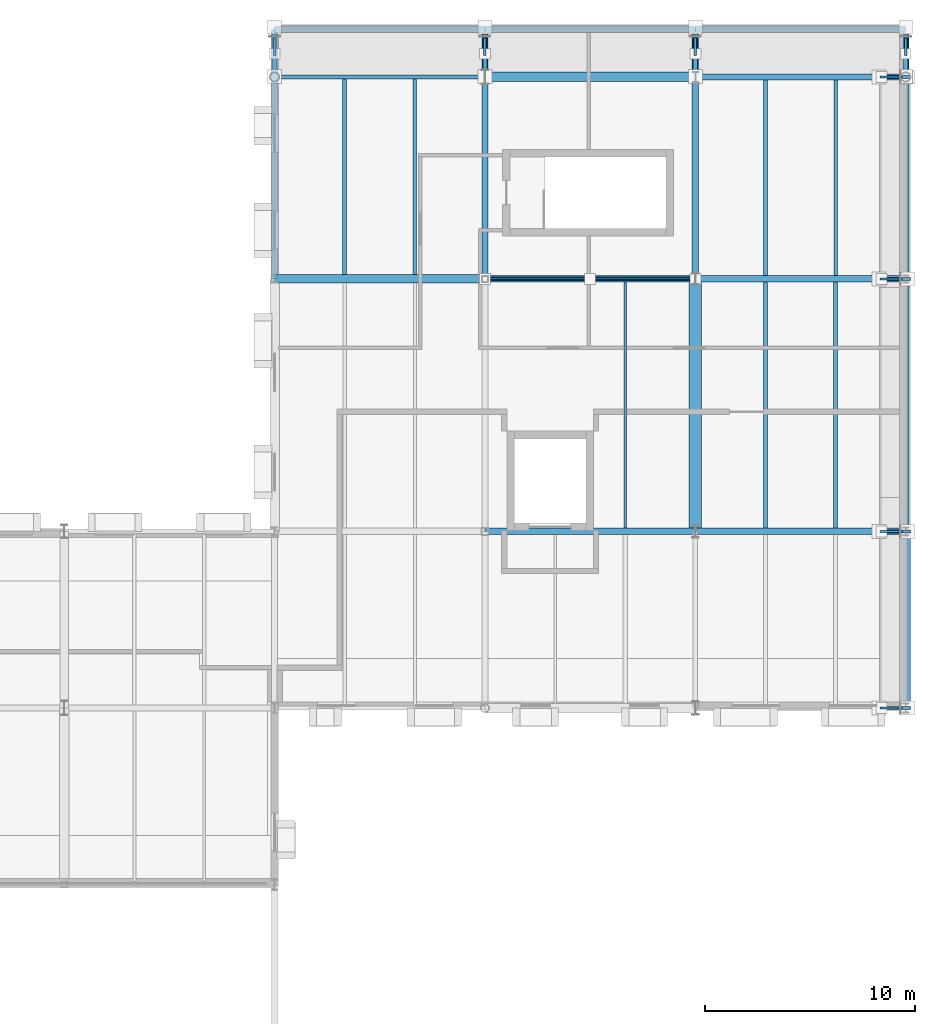
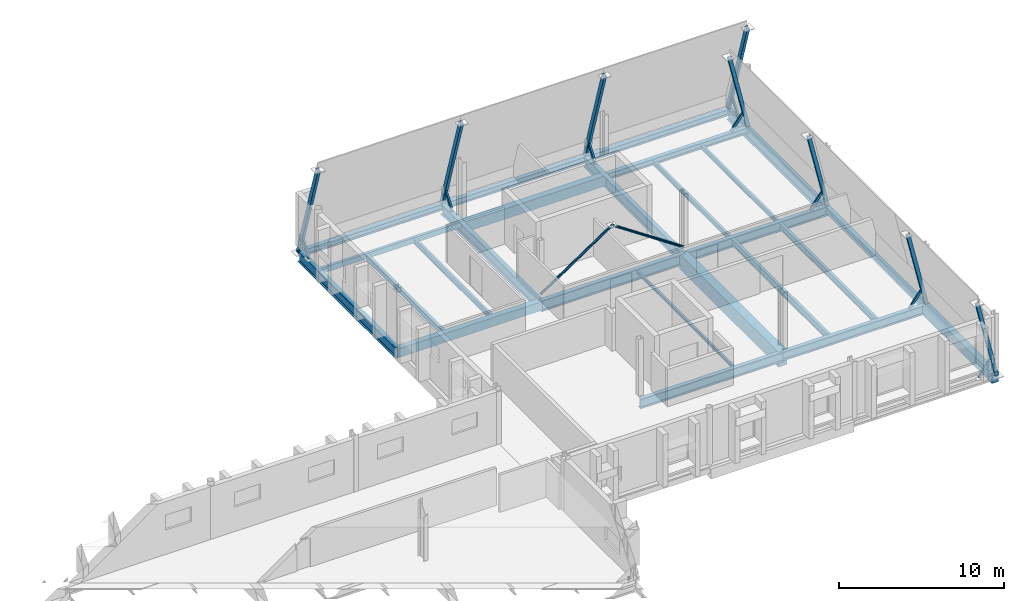
# One storey, part 41 of 90: 25 beams, 18 members.
"""IFC4 building model written with IfcOpenShell, lengths in metres."""

from ifc_helpers import new_model, si_unit, direction, frame, origin, origin_2d, place, context, subcontext, project, spatial, rectangle, hollow_rectangle, hollow_circle, i_section, extrude, material, material_profile, profile_set, type_object, element, save


model = new_model("IFC4")

# Units and contexts
model_context = context("Model", 3, precision=1e-05, world=origin(), true_north=direction((0.0, 1.0)))
body_context = subcontext(model_context, "Body", "Model", "MODEL_VIEW")
ifc_project = project(units=[si_unit("LENGTHUNIT", "METRE"), si_unit("AREAUNIT", "SQUARE_METRE"), si_unit("VOLUMEUNIT", "CUBIC_METRE"), si_unit("PLANEANGLEUNIT", "RADIAN"), si_unit("MASSUNIT", "GRAM", prefix="KILO")], contexts=[model_context])

# Site, building, storey
site_placement = place(None, origin())
site = spatial("IfcSite", under=ifc_project, at=site_placement, CompositionType="ELEMENT")
building_placement = place(site_placement, origin())
building = spatial("IfcBuilding", under=site, at=building_placement, Name="Zereglee Splitstone Museum", CompositionType="ELEMENT")
storey_placement = place(building_placement, frame((0.0, 0.0, 4.800048828125)))
storey = spatial("IfcBuildingStorey", under=building, at=storey_placement, Name="L01", CompositionType="ELEMENT", Elevation=4.800048828125)

# Beams
ifc_material_1 = material(Name="Concrete C40/50", Category="concrete")
ifc_material_profile_1 = material_profile(ifc_material_1, rectangle(XDim=0.39990234375, YDim=0.64990234375, at=origin_2d()), Name="RC 400x650")
ifc_profile_set_1 = profile_set([ifc_material_profile_1], Name="Concrete C40/50")
beam_type_1 = type_object("IfcBeamType", Name="BG-04", PredefinedType="BEAM", material=ifc_profile_set_1)
beam_1_placement = place(storey_placement, frame((296.0, 50.39990234375, -0.625), z_axis=(1.0, 0.0, 0.0), x_axis=(0.0, 1.0, 0.0)))
element("IfcBeam", 1, at=beam_1_placement, inside=storey, type_object=beam_type_1, Name="Primary Girder L01 F (296.0-306.0)", PredefinedType="BEAM", context=body_context, shape_type="SweptSolid", body=[
    extrude(rectangle(XDim=0.39990234375, YDim=0.64990234375, at=origin_2d()), origin(), (0.0, 0.0, 1.0), 10.0),
])
ifc_material_profile_2 = material_profile(ifc_material_1, rectangle(XDim=0.60009765625, YDim=1.10009765625, at=origin_2d()), Name="RC 600x1100")
ifc_profile_set_2 = profile_set([ifc_material_profile_2], Name="Concrete C40/50")
beam_type_2 = type_object("IfcBeamType", Name="BG-01", PredefinedType="BEAM", material=ifc_profile_set_2)
beam_2_placement = place(storey_placement, frame((316.0, 38.39990234375, -0.85009765625), z_axis=(0.0, 1.0, 0.0), x_axis=(-1.0, 0.0, 0.0)))
element("IfcBeam", 2, at=beam_2_placement, inside=storey, type_object=beam_type_2, Name="Primary Girder L01 35 (38.4-50.4)", PredefinedType="BEAM", context=body_context, shape_type="SweptSolid", body=[
    extrude(rectangle(XDim=0.60009765625, YDim=1.10009765625, at=origin_2d()), origin(), (0.0, 0.0, 1.0), 12.0),
])

# Members
ifc_material_2 = material(Name="Steel S355J2H", Category="steel")
ifc_material_profile_3 = material_profile(ifc_material_2, hollow_circle(Radius=0.084228515625, WallThickness=0.008056640625, at=origin_2d()), Name="CHS 168.3x8")
ifc_profile_set_3 = profile_set([ifc_material_profile_3], Name="Steel S355J2H")
member_type_1 = type_object("IfcMemberType", Name="TB-05", PredefinedType="BRACE", material=ifc_profile_set_3)
for number, where, z_axis, x_axis, name in (
    (3, (306.0, 50.39990234375, 0.119873046875), (0.82999331447, 0.0, 0.557773339211), (0.0, 1.0, 0.0), "Lateral Braced Frame Chevron L01-023A"),
    (4, (316.0, 50.39990234375, 0.119873046875), (-0.82999331447, 0.0, 0.557773339211), (0.0, -1.0, 0.0), "Lateral Braced Frame Chevron L01-023B"),
):
    element("IfcMember", number, at=place(storey_placement, frame(where, z_axis=z_axis, x_axis=x_axis)), inside=storey, type_object=member_type_1, Name=name, PredefinedType="BRACE", context=body_context, shape_type="SweptSolid", body=[
        extrude(hollow_circle(Radius=0.084228515625, WallThickness=0.008056640625, at=origin_2d()), origin(), (0.0, 0.0, 1.0), 6.024169921875),
    ])

# Beams
ifc_material_3 = material(Name="Steel S355J2", Category="steel")
ifc_material_profile_4 = material_profile(ifc_material_3, i_section(OverallWidth=0.300048828125, OverallDepth=0.64990234375, WebThickness=0.01611328125, FlangeThickness=0.031005859375, FilletRadius=0.027099609375, at=origin_2d()), Name="HE 650 B")
ifc_profile_set_4 = profile_set([ifc_material_profile_4], Name="Steel S355J2")
beam_type_3 = type_object("IfcBeamType", Name="BG-09", PredefinedType="BEAM", material=ifc_profile_set_4)
beam_3_placement = place(storey_placement, frame((316.0, 38.39990234375, -0.625), z_axis=(1.0, 0.0, 0.0), x_axis=(0.0, 1.0, 0.0)))
element("IfcBeam", 5, at=beam_3_placement, inside=storey, type_object=beam_type_3, Name="Primary Girder L01 E (316.0-326.0)", PredefinedType="BEAM", context=body_context, shape_type="SweptSolid", body=[
    extrude(i_section(OverallWidth=0.300048828125, OverallDepth=0.64990234375, WebThickness=0.01611328125, FlangeThickness=0.031005859375, FilletRadius=0.027099609375, at=origin_2d()), origin(), (0.0, 0.0, 1.0), 10.0),
])
ifc_material_profile_5 = material_profile(ifc_material_3, i_section(OverallWidth=0.300048828125, OverallDepth=0.699951171875, WebThickness=0.01708984375, FlangeThickness=0.031982421875, FilletRadius=0.027099609375, at=origin_2d()), Name="HE 700 B")
ifc_profile_set_5 = profile_set([ifc_material_profile_5], Name="Steel S355J2")
beam_type_4 = type_object("IfcBeamType", Name="BG-08", PredefinedType="BEAM", material=ifc_profile_set_5)
for number, where, z_axis, x_axis, name in (
    (6, (306.0, 38.39990234375, -0.650146484375), (1.0, 0.0, 0.0), (0.0, 1.0, 0.0), "Primary Girder L01 E (306.0-316.0)"),
    (7, (316.0, 50.39990234375, -0.650146484375), (1.0, 0.0, 0.0), (0.0, 1.0, 0.0), "Primary Girder L01 F (316.0-326.0)"),
):
    element("IfcBeam", number, at=place(storey_placement, frame(where, z_axis=z_axis, x_axis=x_axis)), inside=storey, type_object=beam_type_4, Name=name, PredefinedType="BEAM", context=body_context, shape_type="SweptSolid", body=[
        extrude(i_section(OverallWidth=0.300048828125, OverallDepth=0.699951171875, WebThickness=0.01708984375, FlangeThickness=0.031982421875, FilletRadius=0.027099609375, at=origin_2d()), origin(), (0.0, 0.0, 1.0), 10.0),
    ])
ifc_material_profile_6 = material_profile(ifc_material_3, i_section(OverallWidth=0.300048828125, OverallDepth=0.800048828125, WebThickness=0.017578125, FlangeThickness=0.032958984375, FilletRadius=0.030029296875, at=origin_2d()), Name="HE 800 B")
ifc_profile_set_6 = profile_set([ifc_material_profile_6], Name="Steel S355J2")
beam_type_5 = type_object("IfcBeamType", Name="BG-07", PredefinedType="BEAM", material=ifc_profile_set_6)
beam_4_placement = place(storey_placement, frame((306.0, 50.39990234375, -0.699951171875), z_axis=(1.0, 0.0, 0.0), x_axis=(0.0, 1.0, 0.0)))
element("IfcBeam", 8, at=beam_4_placement, inside=storey, type_object=beam_type_5, Name="Primary Girder L01 F (306.0-316.0)", PredefinedType="BEAM", context=body_context, shape_type="SweptSolid", body=[
    extrude(i_section(OverallWidth=0.300048828125, OverallDepth=0.800048828125, WebThickness=0.017578125, FlangeThickness=0.032958984375, FilletRadius=0.030029296875, at=origin_2d()), origin(), (0.0, 0.0, 1.0), 10.0),
])
for number, where, z_axis, x_axis, name in (
    (9, (296.0, 50.39990234375, -0.699951171875), (0.0, 1.0, 0.0), (-1.0, 0.0, 0.0), "Primary Girder L01 33 (50.4-62.2)"),
    (10, (306.0, 50.39990234375, -0.699951171875), (0.0, 1.0, 0.0), (-1.0, 0.0, 0.0), "Primary Girder L01 34 (50.4-62.2)"),
    (11, (316.0, 50.39990234375, -0.699951171875), (0.0, 1.0, 0.0), (-1.0, 0.0, 0.0), "Primary Girder L01 35 (50.4-62.2)"),
    (12, (326.0, 50.39990234375, -0.699951171875), (0.0, 1.0, 0.0), (-1.0, 0.0, 0.0), "Primary Girder L01 36 (50.4-62.2)"),
):
    element("IfcBeam", number, at=place(storey_placement, frame(where, z_axis=z_axis, x_axis=x_axis)), inside=storey, type_object=beam_type_5, Name=name, PredefinedType="BEAM", context=body_context, shape_type="SweptSolid", body=[
        extrude(i_section(OverallWidth=0.300048828125, OverallDepth=0.800048828125, WebThickness=0.017578125, FlangeThickness=0.032958984375, FilletRadius=0.030029296875, at=origin_2d()), origin(), (0.0, 0.0, 1.0), 11.85009765625),
    ])
ifc_material_profile_7 = material_profile(ifc_material_3, i_section(OverallWidth=0.1201171875, OverallDepth=0.239990234375, WebThickness=0.006103515625, FlangeThickness=0.009765625, FilletRadius=0.014892578125, at=origin_2d()), Name="IPE 240")
ifc_profile_set_7 = profile_set([ifc_material_profile_7], Name="Steel S355J2")
beam_type_6 = type_object("IfcBeamType", Name="BJ-07", PredefinedType="JOIST", material=ifc_profile_set_7)
beam_5_placement = place(storey_placement, frame((312.666748046875, 38.550048828125, -0.420166015625), z_axis=(0.0, 1.0, 0.0), x_axis=(-1.0, 0.0, 0.0)))
element("IfcBeam", 13, at=beam_5_placement, inside=storey, type_object=beam_type_6, Name="Secondary Floor Joist L01-0811", PredefinedType="JOIST", context=body_context, shape_type="SweptSolid", body=[
    extrude(i_section(OverallWidth=0.1201171875, OverallDepth=0.239990234375, WebThickness=0.006103515625, FlangeThickness=0.009765625, FilletRadius=0.014892578125, at=origin_2d()), origin(), (0.0, 0.0, 1.0), 11.699951171875),
])
ifc_material_profile_8 = material_profile(ifc_material_3, i_section(OverallWidth=0.159912109375, OverallDepth=0.330078125, WebThickness=0.007568359375, FlangeThickness=0.011474609375, FilletRadius=0.01806640625, at=origin_2d()), Name="IPE 330")
ifc_profile_set_8 = profile_set([ifc_material_profile_8], Name="Steel S355J2")
beam_type_7 = type_object("IfcBeamType", Name="BJ-05", PredefinedType="JOIST", material=ifc_profile_set_8)
beam_6_placement = place(storey_placement, frame((322.666748046875, 50.550048828125, -0.465087890625), z_axis=(0.0, 1.0, 0.0), x_axis=(-1.0, 0.0, 0.0)))
element("IfcBeam", 14, at=beam_6_placement, inside=storey, type_object=beam_type_7, Name="Secondary Floor Joist L01-0823", PredefinedType="JOIST", context=body_context, shape_type="SweptSolid", body=[
    extrude(i_section(OverallWidth=0.159912109375, OverallDepth=0.330078125, WebThickness=0.007568359375, FlangeThickness=0.011474609375, FilletRadius=0.01806640625, at=origin_2d()), origin(), (0.0, 0.0, 1.0), 9.300048828125),
])
ifc_material_profile_9 = material_profile(ifc_material_3, i_section(OverallWidth=0.169921875, OverallDepth=0.360107421875, WebThickness=0.008056640625, FlangeThickness=0.0126953125, FilletRadius=0.01806640625, at=origin_2d()), Name="IPE 360")
ifc_profile_set_9 = profile_set([ifc_material_profile_9], Name="Steel S355J2")
beam_type_8 = type_object("IfcBeamType", Name="BJ-04", PredefinedType="JOIST", material=ifc_profile_set_9)
beam_7_placement = place(storey_placement, frame((319.333251953125, 50.550048828125, -0.47998046875), z_axis=(0.0, 1.0, 0.0), x_axis=(-1.0, 0.0, 0.0)))
element("IfcBeam", 15, at=beam_7_placement, inside=storey, type_object=beam_type_8, Name="Secondary Floor Joist L01-0822", PredefinedType="JOIST", context=body_context, shape_type="SweptSolid", body=[
    extrude(i_section(OverallWidth=0.169921875, OverallDepth=0.360107421875, WebThickness=0.008056640625, FlangeThickness=0.0126953125, FilletRadius=0.01806640625, at=origin_2d()), origin(), (0.0, 0.0, 1.0), 9.300048828125),
])
ifc_material_profile_10 = material_profile(ifc_material_3, i_section(OverallWidth=0.179931640625, OverallDepth=0.39990234375, WebThickness=0.008544921875, FlangeThickness=0.013427734375, FilletRadius=0.02099609375, at=origin_2d()), Name="IPE 400")
ifc_profile_set_10 = profile_set([ifc_material_profile_10], Name="Steel S355J2")
beam_type_9 = type_object("IfcBeamType", Name="BJ-03", PredefinedType="JOIST", material=ifc_profile_set_10)
beam_8_placement = place(storey_placement, frame((302.666748046875, 50.60009765625, -0.5), z_axis=(0.0, 1.0, 0.0), x_axis=(-1.0, 0.0, 0.0)))
element("IfcBeam", 16, at=beam_8_placement, inside=storey, type_object=beam_type_9, Name="Secondary Floor Joist L01-0821", PredefinedType="JOIST", context=body_context, shape_type="SweptSolid", body=[
    extrude(i_section(OverallWidth=0.179931640625, OverallDepth=0.39990234375, WebThickness=0.008544921875, FlangeThickness=0.013427734375, FilletRadius=0.02099609375, at=origin_2d()), origin(), (0.0, 0.0, 1.0), 9.2998046875),
])
ifc_material_profile_11 = material_profile(ifc_material_3, i_section(OverallWidth=0.18994140625, OverallDepth=0.449951171875, WebThickness=0.009521484375, FlangeThickness=0.0146484375, FilletRadius=0.02099609375, at=origin_2d()), Name="IPE 450")
ifc_profile_set_11 = profile_set([ifc_material_profile_11], Name="Steel S355J2")
beam_type_10 = type_object("IfcBeamType", Name="BJ-02", PredefinedType="JOIST", material=ifc_profile_set_11)
beam_9_placement = place(storey_placement, frame((322.666748046875, 38.550048828125, -0.525146484375), z_axis=(0.0, 1.0, 0.0), x_axis=(-1.0, 0.0, 0.0)))
element("IfcBeam", 17, at=beam_9_placement, inside=storey, type_object=beam_type_10, Name="Secondary Floor Joist L01-0813", PredefinedType="JOIST", context=body_context, shape_type="SweptSolid", body=[
    extrude(i_section(OverallWidth=0.18994140625, OverallDepth=0.449951171875, WebThickness=0.009521484375, FlangeThickness=0.0146484375, FilletRadius=0.02099609375, at=origin_2d()), origin(), (0.0, 0.0, 1.0), 11.699951171875),
])
beam_10_placement = place(storey_placement, frame((299.333251953125, 50.60009765625, -0.525146484375), z_axis=(0.0, 1.0, 0.0), x_axis=(-1.0, 0.0, 0.0)))
element("IfcBeam", 18, at=beam_10_placement, inside=storey, type_object=beam_type_10, Name="Secondary Floor Joist L01-0820", PredefinedType="JOIST", context=body_context, shape_type="SweptSolid", body=[
    extrude(i_section(OverallWidth=0.18994140625, OverallDepth=0.449951171875, WebThickness=0.009521484375, FlangeThickness=0.0146484375, FilletRadius=0.02099609375, at=origin_2d()), origin(), (0.0, 0.0, 1.0), 9.2998046875),
])
ifc_material_profile_12 = material_profile(ifc_material_3, i_section(OverallWidth=0.199951171875, OverallDepth=0.5, WebThickness=0.01025390625, FlangeThickness=0.01611328125, FilletRadius=0.02099609375, at=origin_2d()), Name="IPE 500")
ifc_profile_set_12 = profile_set([ifc_material_profile_12], Name="Steel S355J2")
beam_type_11 = type_object("IfcBeamType", Name="BJ-01", PredefinedType="JOIST", material=ifc_profile_set_12)
beam_11_placement = place(storey_placement, frame((319.333251953125, 38.550048828125, -0.550048828125), z_axis=(0.0, 1.0, 0.0), x_axis=(-1.0, 0.0, 0.0)))
element("IfcBeam", 19, at=beam_11_placement, inside=storey, type_object=beam_type_11, Name="Secondary Floor Joist L01-0812", PredefinedType="JOIST", context=body_context, shape_type="SweptSolid", body=[
    extrude(i_section(OverallWidth=0.199951171875, OverallDepth=0.5, WebThickness=0.01025390625, FlangeThickness=0.01611328125, FilletRadius=0.02099609375, at=origin_2d()), origin(), (0.0, 0.0, 1.0), 11.699951171875),
])
ifc_material_profile_13 = material_profile(ifc_material_3, i_section(OverallWidth=0.300048828125, OverallDepth=0.449951171875, WebThickness=0.013916015625, FlangeThickness=0.02587890625, FilletRadius=0.027099609375, at=origin_2d()), Name="HE 450 B")
ifc_profile_set_13 = profile_set([ifc_material_profile_13], Name="Steel S355J2")
beam_type_12 = type_object("IfcBeamType", Name="SP-02", PredefinedType="SPANDREL", material=ifc_profile_set_13)
beam_12_placement = place(storey_placement, frame((316.0, 60.0, -0.525146484375), z_axis=(1.0, 0.0, 0.0), x_axis=(0.0, 1.0, 0.0)))
element("IfcBeam", 20, at=beam_12_placement, inside=storey, type_object=beam_type_12, Name="Primary Girder L01 G (316.0-326.0)", PredefinedType="SPANDREL", context=body_context, shape_type="SweptSolid", body=[
    extrude(i_section(OverallWidth=0.300048828125, OverallDepth=0.449951171875, WebThickness=0.013916015625, FlangeThickness=0.02587890625, FilletRadius=0.027099609375, at=origin_2d()), origin(), (0.0, 0.0, 1.0), 10.0),
])
beam_13_placement = place(storey_placement, frame((326.0, 38.39990234375, -0.525146484375), z_axis=(0.0, 1.0, 0.0), x_axis=(-1.0, 0.0, 0.0)))
element("IfcBeam", 21, at=beam_13_placement, inside=storey, type_object=beam_type_12, Name="Primary Girder L01 36 (38.4-50.4)", PredefinedType="SPANDREL", context=body_context, shape_type="SweptSolid", body=[
    extrude(i_section(OverallWidth=0.300048828125, OverallDepth=0.449951171875, WebThickness=0.013916015625, FlangeThickness=0.02587890625, FilletRadius=0.027099609375, at=origin_2d()), origin(), (0.0, 0.0, 1.0), 12.0),
])
for number, where, z_axis, x_axis, name in (
    (22, (296.0, 62.25, -0.525146484375), (1.0, 0.0, 0.0), (0.0, 1.0, 0.0), "Hovering Soffit Spandrel L01 (296.0-306.0)"),
    (23, (306.0, 62.25, -0.525146484375), (1.0, 0.0, 0.0), (0.0, 1.0, 0.0), "Hovering Soffit Spandrel L01 (306.0-316.0)"),
    (24, (316.0, 62.25, -0.525146484375), (1.0, 0.0, 0.0), (0.0, 1.0, 0.0), "Hovering Soffit Spandrel L01 (316.0-326.0)"),
):
    element("IfcBeam", number, at=place(storey_placement, frame(where, z_axis=z_axis, x_axis=x_axis)), inside=storey, type_object=beam_type_12, Name=name, PredefinedType="SPANDREL", context=body_context, shape_type="SweptSolid", body=[
        extrude(i_section(OverallWidth=0.300048828125, OverallDepth=0.449951171875, WebThickness=0.013916015625, FlangeThickness=0.02587890625, FilletRadius=0.027099609375, at=origin_2d()), origin(), (0.0, 0.0, 1.0), 10.0),
    ])
ifc_material_profile_14 = material_profile(ifc_material_1, rectangle(XDim=0.449951171875, YDim=0.75, at=origin_2d()), Name="RC 450x750")
ifc_profile_set_14 = profile_set([ifc_material_profile_14], Name="Concrete C40/50")
beam_type_13 = type_object("IfcBeamType", Name="SP-01", PredefinedType="SPANDREL", material=ifc_profile_set_14)
beam_14_placement = place(storey_placement, frame((306.0, 60.0, -0.675048828125), z_axis=(1.0, 0.0, 0.0), x_axis=(0.0, 1.0, 0.0)))
element("IfcBeam", 25, at=beam_14_placement, inside=storey, type_object=beam_type_13, Name="Primary Girder L01 G (306.0-316.0)", PredefinedType="SPANDREL", context=body_context, shape_type="SweptSolid", body=[
    extrude(rectangle(XDim=0.449951171875, YDim=0.75, at=origin_2d()), origin(), (0.0, 0.0, 1.0), 10.0),
])
beam_15_placement = place(storey_placement, frame((326.0, 30.0, -0.675048828125), z_axis=(0.0, 1.0, 0.0), x_axis=(-1.0, 0.0, 0.0)))
element("IfcBeam", 26, at=beam_15_placement, inside=storey, type_object=beam_type_13, Name="Primary Girder L01 36 (30.0-38.4)", PredefinedType="SPANDREL", context=body_context, shape_type="SweptSolid", body=[
    extrude(rectangle(XDim=0.449951171875, YDim=0.75, at=origin_2d()), origin(), (0.0, 0.0, 1.0), 8.39990234375),
])
ifc_material_profile_15 = material_profile(ifc_material_2, hollow_rectangle(XDim=0.199951171875, YDim=0.39990234375, WallThickness=0.01611328125, at=origin_2d()), Name="RHS 400x200x16")
ifc_profile_set_15 = profile_set([ifc_material_profile_15], Name="Steel S355J2H")
beam_type_14 = type_object("IfcBeamType", Name="SP-04", PredefinedType="SPANDREL", material=ifc_profile_set_15)
beam_16_placement = place(storey_placement, frame((296.0, 60.0, -0.5), z_axis=(1.0, 0.0, 0.0), x_axis=(0.0, 1.0, 0.0)))
element("IfcBeam", 27, at=beam_16_placement, inside=storey, type_object=beam_type_14, Name="Primary Girder L01 G (296.0-306.0)", PredefinedType="SPANDREL", context=body_context, shape_type="SweptSolid", body=[
    extrude(hollow_rectangle(XDim=0.199951171875, YDim=0.39990234375, WallThickness=0.01611328125, at=origin_2d()), origin(), (0.0, 0.0, 1.0), 10.0),
])

# Members
ifc_material_profile_16 = material_profile(ifc_material_2, hollow_rectangle(XDim=0.14990234375, YDim=0.25, WallThickness=0.010009765625, at=origin_2d()), Name="RHS 250x150x10")
ifc_profile_set_16 = profile_set([ifc_material_profile_16], Name="Steel S355J2H")
member_type_2 = type_object("IfcMemberType", Name="FS-R2", PredefinedType="STRUT", material=ifc_profile_set_16)
for number, where, z_axis, x_axis, name in (
    (28, (326.09423828125, 30.0, -0.550048828125), (-0.229046149794, 0.0, 0.973415564528), (0.0, -1.0, 0.0), "Split-Rock Continuous Facet Strut FH-V6E L01-01"),
    (29, (326.09423828125, 38.39990234375, -0.550048828125), (-0.229046149794, 0.0, 0.973415564528), (0.0, -1.0, 0.0), "Split-Rock Continuous Facet Strut FH-V6E L01-02"),
    (30, (326.09423828125, 50.39990234375, -0.550048828125), (-0.229046149794, 0.0, 0.973415564528), (0.0, -1.0, 0.0), "Split-Rock Continuous Facet Strut FH-V6E L01-03"),
    (31, (326.09423828125, 60.0, -0.550048828125), (-0.229046149794, 0.0, 0.973415564528), (0.0, -1.0, 0.0), "Split-Rock Continuous Facet Strut FH-V6E L01-04"),
):
    element("IfcMember", number, at=place(storey_placement, frame(where, z_axis=z_axis, x_axis=x_axis)), inside=storey, type_object=member_type_2, Name=name, PredefinedType="STRUT", context=body_context, shape_type="SweptSolid", body=[
        extrude(hollow_rectangle(XDim=0.14990234375, YDim=0.25, WallThickness=0.010009765625, at=origin_2d()), origin(), (0.0, 0.0, 1.0), 5.9892578125),
    ])
ifc_material_profile_17 = material_profile(ifc_material_2, hollow_rectangle(XDim=0.199951171875, YDim=0.300048828125, WallThickness=0.012451171875, at=origin_2d()), Name="RHS 300x200x12.5")
ifc_profile_set_17 = profile_set([ifc_material_profile_17], Name="Steel S355J2H")
member_type_3 = type_object("IfcMemberType", Name="FS-R1", PredefinedType="STRUT", material=ifc_profile_set_17)
for number, where, z_axis, x_axis, name in (
    (32, (296.0, 62.37548828125, -0.550048828125), (0.0, -0.29933344778, 0.954148566545), (1.0, 0.0, 0.0), "Split-Rock Continuous Facet Strut FH-V6N L01-01"),
    (33, (306.0, 62.37548828125, -0.550048828125), (0.0, -0.29933344778, 0.954148566545), (1.0, 0.0, 0.0), "Split-Rock Continuous Facet Strut FH-V6N L01-02"),
    (34, (316.0, 62.37548828125, -0.550048828125), (0.0, -0.29933344778, 0.954148566545), (1.0, 0.0, 0.0), "Split-Rock Continuous Facet Strut FH-V6N L01-03"),
    (35, (326.0, 62.37548828125, -0.550048828125), (0.0, -0.29933344778, 0.954148566545), (1.0, 0.0, 0.0), "Split-Rock Continuous Facet Strut FH-V6N L01-04"),
):
    element("IfcMember", number, at=place(storey_placement, frame(where, z_axis=z_axis, x_axis=x_axis)), inside=storey, type_object=member_type_3, Name=name, PredefinedType="STRUT", context=body_context, shape_type="SweptSolid", body=[
        extrude(hollow_rectangle(XDim=0.199951171875, YDim=0.300048828125, WallThickness=0.012451171875, at=origin_2d()), origin(), (0.0, 0.0, 1.0), 7.891845703125),
    ])
ifc_material_profile_18 = material_profile(ifc_material_2, hollow_rectangle(XDim=0.10009765625, YDim=0.179931640625, WallThickness=0.008056640625, at=origin_2d()), Name="RHS 180x100x8")
ifc_profile_set_18 = profile_set([ifc_material_profile_18], Name="Steel S355J2H")
member_type_4 = type_object("IfcMemberType", Name="FS-T2", PredefinedType="STRUT", material=ifc_profile_set_18)
for number, where, z_axis, x_axis, name in (
    (36, (324.85009765625, 30.0, -0.260009765625), (0.614228049005, 0.0, 0.789128572424), (0.0, 1.0, 0.0), "Facet Tie-Back Strut FH-V6E L01-01"),
    (37, (324.85009765625, 38.39990234375, -0.260009765625), (0.614228049005, 0.0, 0.789128572424), (0.0, 1.0, 0.0), "Facet Tie-Back Strut FH-V6E L01-02"),
    (38, (324.85009765625, 50.39990234375, -0.260009765625), (0.614228049005, 0.0, 0.789128572424), (0.0, 1.0, 0.0), "Facet Tie-Back Strut FH-V6E L01-03"),
    (39, (324.85009765625, 60.0, -0.260009765625), (0.614228049005, 0.0, 0.789128572424), (0.0, 1.0, 0.0), "Facet Tie-Back Strut FH-V6E L01-04"),
):
    element("IfcMember", number, at=place(storey_placement, frame(where, z_axis=z_axis, x_axis=x_axis)), inside=storey, type_object=member_type_4, Name=name, PredefinedType="STRUT", context=body_context, shape_type="SweptSolid", body=[
        extrude(hollow_rectangle(XDim=0.10009765625, YDim=0.179931640625, WallThickness=0.008056640625, at=origin_2d()), origin(), (0.0, 0.0, 1.0), 1.469970703125),
    ])
ifc_material_profile_19 = material_profile(ifc_material_2, hollow_rectangle(XDim=0.1201171875, YDim=0.199951171875, WallThickness=0.008056640625, at=origin_2d()), Name="RHS 200x120x8")
ifc_profile_set_19 = profile_set([ifc_material_profile_19], Name="Steel S355J2H")
member_type_5 = type_object("IfcMemberType", Name="FS-T1", PredefinedType="STRUT", material=ifc_profile_set_19)
for number, where, z_axis, x_axis, name in (
    (40, (296.0, 61.10009765625, -0.260009765625), (0.0, 0.577526175037, 0.816372168283), (-1.0, 0.0, 0.0), "Facet Tie-Back Strut FH-V6N L01-01"),
    (41, (306.0, 61.10009765625, -0.260009765625), (0.0, 0.577526175037, 0.816372168283), (-1.0, 0.0, 0.0), "Facet Tie-Back Strut FH-V6N L01-02"),
    (42, (316.0, 61.10009765625, -0.260009765625), (0.0, 0.577526175037, 0.816372168283), (-1.0, 0.0, 0.0), "Facet Tie-Back Strut FH-V6N L01-03"),
    (43, (326.0, 61.10009765625, -0.260009765625), (0.0, 0.577526175037, 0.816372168283), (-1.0, 0.0, 0.0), "Facet Tie-Back Strut FH-V6N L01-04"),
):
    element("IfcMember", number, at=place(storey_placement, frame(where, z_axis=z_axis, x_axis=x_axis)), inside=storey, type_object=member_type_5, Name=name, PredefinedType="STRUT", context=body_context, shape_type="SweptSolid", body=[
        extrude(hollow_rectangle(XDim=0.1201171875, YDim=0.199951171875, WallThickness=0.008056640625, at=origin_2d()), origin(), (0.0, 0.0, 1.0), 1.4208984375),
    ])

save(model, "model.ifc")
